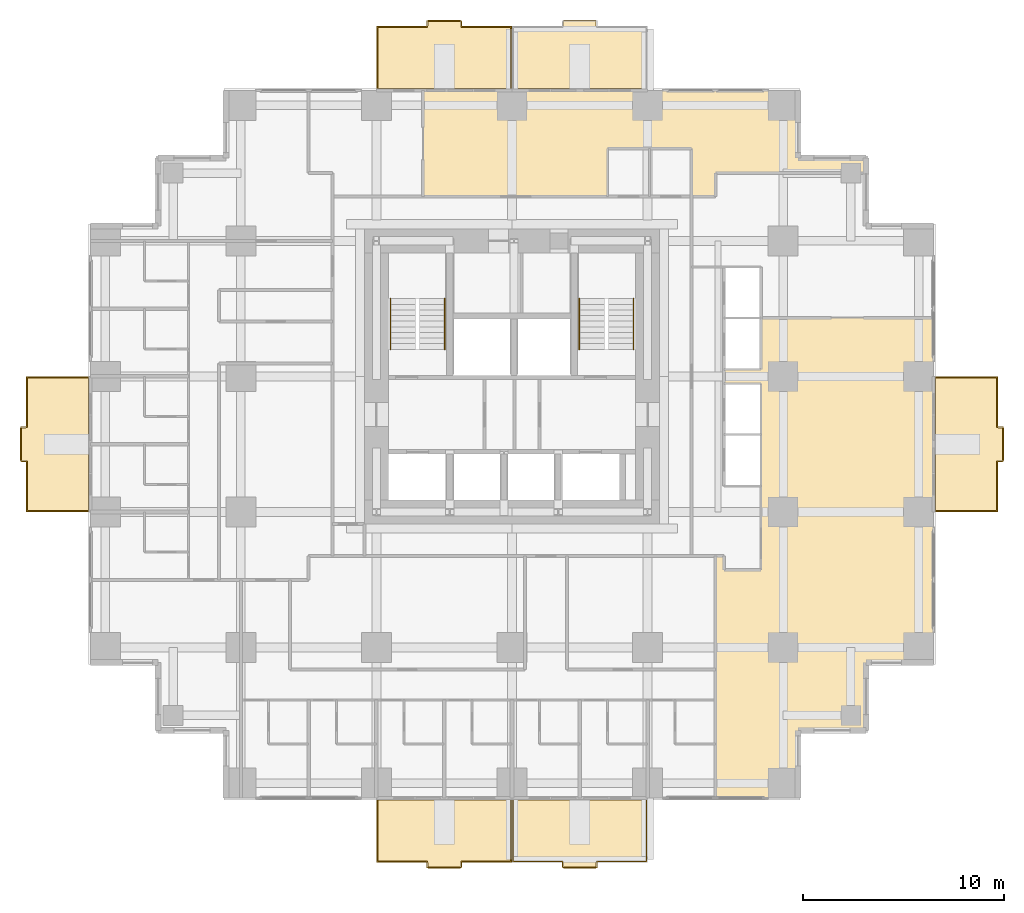
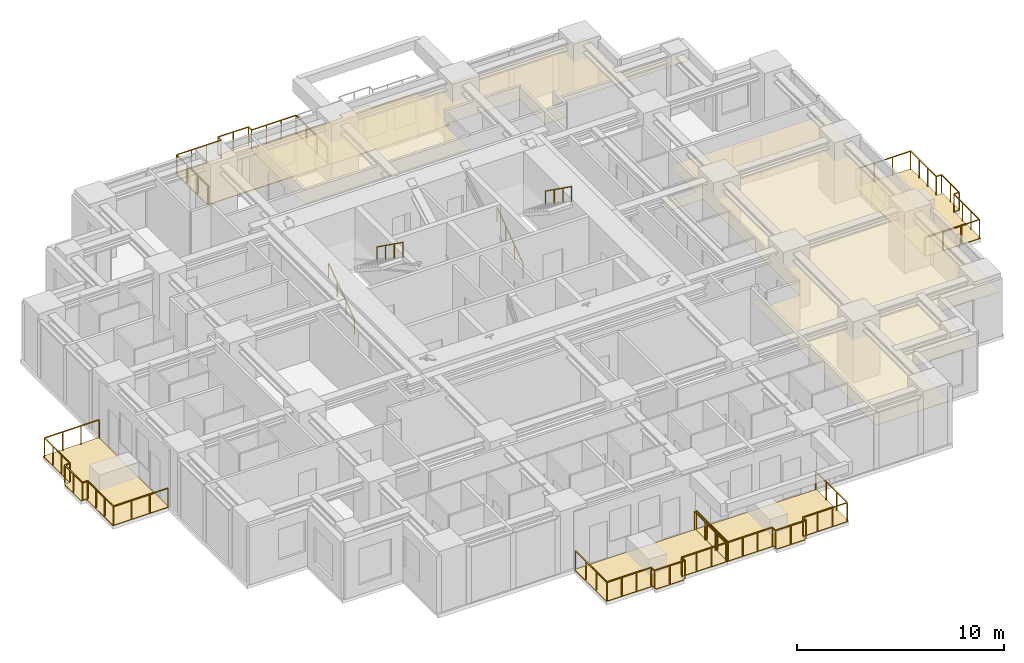
# One storey, part 10 of 11: 9 railings, 8 coverings.
"""IFC4 building model written with IfcOpenShell, lengths in metres."""

from ifc_helpers import new_model, si_unit, direction, frame, origin, origin_2d, place, context, subcontext, project, spatial, polyline, rectangle, outline, extrude, material, layer, layer_set, type_object, element, save


model = new_model("IFC4")

# Units and contexts
model_context = context("Model", 3, precision=1e-05, world=origin(), true_north=direction((0.0, 1.0)))
body_context = subcontext(model_context, "Body", "Model", "MODEL_VIEW")
ifc_project = project(units=[si_unit("LENGTHUNIT", "METRE"), si_unit("AREAUNIT", "SQUARE_METRE"), si_unit("VOLUMEUNIT", "CUBIC_METRE"), si_unit("PLANEANGLEUNIT", "RADIAN"), si_unit("MASSUNIT", "GRAM", prefix="KILO")], contexts=[model_context])

# Site, building, storey
site_placement = place(None, origin())
site = spatial("IfcSite", under=ifc_project, at=site_placement, CompositionType="ELEMENT")
building_placement = place(site_placement, origin())
building = spatial("IfcBuilding", under=site, at=building_placement, Name="Nyansa Garden Tower", CompositionType="ELEMENT")
storey_placement = place(building_placement, frame((0.0, 0.0, 108.89990234375)))
storey = spatial("IfcBuildingStorey", under=building, at=storey_placement, Name="L29", CompositionType="ELEMENT", Elevation=108.89990234375)

# Coverings
ifc_material_1 = material(Name="Perforated timber acoustic ceiling", Category="wood")
ifc_layer_1 = layer(ifc_material_1, 0.02001953125)
ifc_layer_set_1 = layer_set([ifc_layer_1], Name="Acoustic ceiling CL20")
covering_type_1 = type_object("IfcCoveringType", Name="Acoustic ceiling CL20", PredefinedType="CEILING", material=ifc_layer_set_1)
covering_1_placement = place(storey_placement, frame((0.0, 0.0, 2.505126953125)))
element("IfcCovering", 1, at=covering_1_placement, inside=storey, type_object=covering_type_1, Name="Ceiling L29-039", PredefinedType="CEILING", context=body_context, shape_type="SweptSolid", body=[
    extrude(outline(polyline([(30.375, -0.75), (30.375, 11.300048828125), (30.800048828125, 11.300048828125), (30.800048828125, 10.60009765625), (32.64990234375, 10.60009765625), (32.64990234375, 19.89990234375), (30.800048828125, 19.89990234375), (30.800048828125, 20.60009765625), (32.64990234375, 20.60009765625), (32.64990234375, 23.168212890625), (41.25, 23.168212890625), (41.25, 6.0), (37.875, 6.0), (37.875, 2.625), (34.5, 2.625), (34.5, -0.75), (30.375, -0.75)])), origin(), (0.0, 0.0, 1.0), 0.02001953125),
])
covering_2_placement = place(storey_placement, frame((0.0, 0.0, 2.505126953125)))
element("IfcCovering", 2, at=covering_2_placement, inside=storey, type_object=covering_type_1, Name="Ceiling L29-043", PredefinedType="CEILING", context=body_context, shape_type="SweptSolid", body=[
    extrude(outline(polyline([(37.875, 31.125), (37.875, 30.375), (30.375, 30.375), (30.375, 29.199951171875), (29.199951171875, 29.199951171875), (29.199951171875, 31.60009765625), (25.0, 31.60009765625), (25.0, 29.199951171875), (15.829345703125, 29.199951171875), (15.829345703125, 34.5), (34.5, 34.5), (34.5, 31.125), (37.875, 31.125)])), origin(), (0.0, 0.0, 1.0), 0.02001953125),
])
ifc_material_2 = material(Name="Hardwood decking on pedestals", Category="wood")
ifc_layer_2 = layer(ifc_material_2, 0.0400390625)
ifc_layer_set_2 = layer_set([ifc_layer_2], Name="Balcony decking DK40")
covering_type_2 = type_object("IfcCoveringType", Name="Balcony decking DK40", PredefinedType="FLOORING", material=ifc_layer_set_2)
covering_3_placement = place(storey_placement, frame((0.0, 0.0, -0.039794921875)))
element("IfcCovering", 3, at=covering_3_placement, inside=storey, type_object=covering_type_2, Name="Balcony decking L29", PredefinedType="FLOORING", context=body_context, shape_type="SweptSolid", body=[
    extrude(outline(polyline([(13.5, -0.85009765625), (20.25, -0.85009765625), (20.25, -3.949951171875), (17.675048828125, -3.949951171875), (17.675048828125, -4.25), (16.074951171875, -4.25), (16.074951171875, -3.949951171875), (13.5, -3.949951171875), (13.5, -0.85009765625)])), origin(), (0.0, 0.0, 1.0), 0.039794921875),
])
covering_4_placement = place(storey_placement, frame((0.0, 0.0, -0.039794921875)))
element("IfcCovering", 4, at=covering_4_placement, inside=storey, type_object=covering_type_2, Name="Balcony decking L29", PredefinedType="FLOORING", context=body_context, shape_type="SweptSolid", body=[
    extrude(outline(polyline([(20.25, -0.85009765625), (27.0, -0.85009765625), (27.0, -3.949951171875), (24.425048828125, -3.949951171875), (24.425048828125, -4.25), (22.824951171875, -4.25), (22.824951171875, -3.949951171875), (20.25, -3.949951171875), (20.25, -0.85009765625)])), origin(), (0.0, 0.0, 1.0), 0.039794921875),
])
covering_5_placement = place(storey_placement, frame((0.0, 0.0, -0.039794921875)))
element("IfcCovering", 5, at=covering_5_placement, inside=storey, type_object=covering_type_2, Name="Balcony decking L29", PredefinedType="FLOORING", context=body_context, shape_type="SweptSolid", body=[
    extrude(outline(polyline([(41.35009765625, 13.5), (41.35009765625, 20.25), (44.449951171875, 20.25), (44.449951171875, 17.675048828125), (44.75, 17.675048828125), (44.75, 16.074951171875), (44.449951171875, 16.074951171875), (44.449951171875, 13.5), (41.35009765625, 13.5)])), origin(), (0.0, 0.0, 1.0), 0.039794921875),
])
covering_6_placement = place(storey_placement, frame((0.0, 0.0, -0.039794921875)))
element("IfcCovering", 6, at=covering_6_placement, inside=storey, type_object=covering_type_2, Name="Balcony decking L29", PredefinedType="FLOORING", context=body_context, shape_type="SweptSolid", body=[
    extrude(outline(polyline([(13.5, 34.60009765625), (20.25, 34.60009765625), (20.25, 37.699951171875), (17.675048828125, 37.699951171875), (17.675048828125, 38.0), (16.074951171875, 38.0), (16.074951171875, 37.699951171875), (13.5, 37.699951171875), (13.5, 34.60009765625)])), origin(), (0.0, 0.0, 1.0), 0.039794921875),
])
covering_7_placement = place(storey_placement, frame((0.0, 0.0, -0.039794921875)))
element("IfcCovering", 7, at=covering_7_placement, inside=storey, type_object=covering_type_2, Name="Balcony decking L29", PredefinedType="FLOORING", context=body_context, shape_type="SweptSolid", body=[
    extrude(outline(polyline([(20.25, 34.60009765625), (27.0, 34.60009765625), (27.0, 37.699951171875), (24.425048828125, 37.699951171875), (24.425048828125, 38.0), (22.824951171875, 38.0), (22.824951171875, 37.699951171875), (20.25, 37.699951171875), (20.25, 34.60009765625)])), origin(), (0.0, 0.0, 1.0), 0.039794921875),
])
covering_8_placement = place(storey_placement, frame((0.0, 0.0, -0.039794921875)))
element("IfcCovering", 8, at=covering_8_placement, inside=storey, type_object=covering_type_2, Name="Balcony decking L29", PredefinedType="FLOORING", context=body_context, shape_type="SweptSolid", body=[
    extrude(outline(polyline([(-0.85009765625, 13.5), (-0.85009765625, 20.25), (-3.949951171875, 20.25), (-3.949951171875, 17.675048828125), (-4.25, 17.675048828125), (-4.25, 16.074951171875), (-3.949951171875, 16.074951171875), (-3.949951171875, 13.5), (-0.85009765625, 13.5)])), origin(), (0.0, 0.0, 1.0), 0.039794921875),
])

# Railings
ifc_material_3 = material(Name="Black powder-coated steel balusters, laminated glass infill", Category="steel")
railing_type_1 = type_object("IfcRailingType", Name="Balcony guard G1", PredefinedType="GUARDRAIL", material=ifc_material_3)
railing_1_placement = place(storey_placement, frame((13.550048828125, -0.85009765625, 0.0)))
element("IfcRailing", 9, at=railing_1_placement, inside=storey, type_object=railing_type_1, Name="Balcony guard L29", PredefinedType="GUARDRAIL", context=body_context, shape_type="SweptSolid", body=[
    extrude(rectangle(XDim=0.048095703125, YDim=0.048095703125, at=origin_2d()), frame((0.0, 0.0, 1.076171875), z_axis=(0.0, -1.0, 0.0), x_axis=(1.0, 0.0, 0.0)), (0.0, 0.0, 1.0), 3.0498046875),
    extrude(rectangle(XDim=0.048095703125, YDim=0.048095703125, at=origin_2d()), frame((0.0, -3.0498046875, 1.076171875), z_axis=(1.0, 0.0, 0.0), x_axis=(0.0, 1.0, 0.0)), (0.0, 0.0, 1.0), 2.474853515625),
    extrude(rectangle(XDim=0.048095703125, YDim=0.048095703125, at=origin_2d()), frame((2.474853515625, -3.0498046875, 1.076171875), z_axis=(0.0, -1.0, 0.0), x_axis=(1.0, 0.0, 0.0)), (0.0, 0.0, 1.0), 0.300048828125),
    extrude(rectangle(XDim=0.048095703125, YDim=0.048095703125, at=origin_2d()), frame((2.474853515625, -3.349853515625, 1.076171875), z_axis=(1.0, 0.0, 0.0), x_axis=(0.0, 1.0, 0.0)), (0.0, 0.0, 1.0), 1.7001953125),
    extrude(rectangle(XDim=0.048095703125, YDim=0.048095703125, at=origin_2d()), frame((4.175048828125, -3.349853515625, 1.076171875), z_axis=(0.0, 1.0, 0.0), x_axis=(-1.0, 0.0, 0.0)), (0.0, 0.0, 1.0), 0.300048828125),
    extrude(rectangle(XDim=0.048095703125, YDim=0.048095703125, at=origin_2d()), frame((4.175048828125, -3.0498046875, 1.076171875), z_axis=(1.0, 0.0, 0.0), x_axis=(0.0, 1.0, 0.0)), (0.0, 0.0, 1.0), 2.474853515625),
    extrude(rectangle(XDim=0.048095703125, YDim=0.048095703125, at=origin_2d()), frame((6.64990234375, -3.0498046875, 1.076171875), z_axis=(0.0, 1.0, 0.0), x_axis=(-1.0, 0.0, 0.0)), (0.0, 0.0, 1.0), 3.0498046875),
    extrude(rectangle(XDim=0.0419921875, YDim=0.0419921875, at=origin_2d()), origin(), (0.0, 0.0, 1.0), 1.052001953125),
    extrude(rectangle(XDim=0.0419921875, YDim=0.0419921875, at=origin_2d()), frame((0.0, -1.0166015625, 0.0)), (0.0, 0.0, 1.0), 1.052001953125),
    extrude(rectangle(XDim=0.0419921875, YDim=0.0419921875, at=origin_2d()), frame((0.0, -2.033203125, 0.0)), (0.0, 0.0, 1.0), 1.052001953125),
    extrude(rectangle(XDim=0.0419921875, YDim=0.0419921875, at=origin_2d()), frame((0.0, -3.0498046875, 0.0)), (0.0, 0.0, 1.0), 1.052001953125),
    extrude(rectangle(XDim=0.0419921875, YDim=0.0419921875, at=origin_2d()), frame((0.824951171875, -3.0498046875, 0.0)), (0.0, 0.0, 1.0), 1.052001953125),
    extrude(rectangle(XDim=0.0419921875, YDim=0.0419921875, at=origin_2d()), frame((1.64990234375, -3.0498046875, 0.0)), (0.0, 0.0, 1.0), 1.052001953125),
    extrude(rectangle(XDim=0.0419921875, YDim=0.0419921875, at=origin_2d()), frame((2.474853515625, -3.0498046875, 0.0)), (0.0, 0.0, 1.0), 1.052001953125),
    extrude(rectangle(XDim=0.0419921875, YDim=0.0419921875, at=origin_2d()), frame((2.474853515625, -3.349853515625, 0.0)), (0.0, 0.0, 1.0), 1.052001953125),
    extrude(rectangle(XDim=0.0419921875, YDim=0.0419921875, at=origin_2d()), frame((3.324951171875, -3.349853515625, 0.0)), (0.0, 0.0, 1.0), 1.052001953125),
    extrude(rectangle(XDim=0.0419921875, YDim=0.0419921875, at=origin_2d()), frame((4.175048828125, -3.349853515625, 0.0)), (0.0, 0.0, 1.0), 1.052001953125),
    extrude(rectangle(XDim=0.0419921875, YDim=0.0419921875, at=origin_2d()), frame((4.175048828125, -3.0498046875, 0.0)), (0.0, 0.0, 1.0), 1.052001953125),
    extrude(rectangle(XDim=0.0419921875, YDim=0.0419921875, at=origin_2d()), frame((5.0, -3.0498046875, 0.0)), (0.0, 0.0, 1.0), 1.052001953125),
    extrude(rectangle(XDim=0.0419921875, YDim=0.0419921875, at=origin_2d()), frame((5.824951171875, -3.0498046875, 0.0)), (0.0, 0.0, 1.0), 1.052001953125),
    extrude(rectangle(XDim=0.0419921875, YDim=0.0419921875, at=origin_2d()), frame((6.64990234375, -3.0498046875, 0.0)), (0.0, 0.0, 1.0), 1.052001953125),
    extrude(rectangle(XDim=0.0419921875, YDim=0.0419921875, at=origin_2d()), frame((6.64990234375, -2.033203125, 0.0)), (0.0, 0.0, 1.0), 1.052001953125),
    extrude(rectangle(XDim=0.0419921875, YDim=0.0419921875, at=origin_2d()), frame((6.64990234375, -1.0166015625, 0.0)), (0.0, 0.0, 1.0), 1.052001953125),
    extrude(rectangle(XDim=0.0419921875, YDim=0.0419921875, at=origin_2d()), frame((6.64990234375, 0.0, 0.0)), (0.0, 0.0, 1.0), 1.052001953125),
])
railing_2_placement = place(storey_placement, frame((20.300048828125, -0.85009765625, 0.0)))
element("IfcRailing", 10, at=railing_2_placement, inside=storey, type_object=railing_type_1, Name="Balcony guard L29", PredefinedType="GUARDRAIL", context=body_context, shape_type="SweptSolid", body=[
    extrude(rectangle(XDim=0.048095703125, YDim=0.048095703125, at=origin_2d()), frame((0.0, 0.0, 1.076171875), z_axis=(0.0, -1.0, 0.0), x_axis=(1.0, 0.0, 0.0)), (0.0, 0.0, 1.0), 3.0498046875),
    extrude(rectangle(XDim=0.048095703125, YDim=0.048095703125, at=origin_2d()), frame((0.0, -3.0498046875, 1.076171875), z_axis=(1.0, 0.0, 0.0), x_axis=(0.0, 1.0, 0.0)), (0.0, 0.0, 1.0), 2.474853515625),
    extrude(rectangle(XDim=0.048095703125, YDim=0.048095703125, at=origin_2d()), frame((2.474853515625, -3.0498046875, 1.076171875), z_axis=(0.0, -1.0, 0.0), x_axis=(1.0, 0.0, 0.0)), (0.0, 0.0, 1.0), 0.300048828125),
    extrude(rectangle(XDim=0.048095703125, YDim=0.048095703125, at=origin_2d()), frame((2.474853515625, -3.349853515625, 1.076171875), z_axis=(1.0, 0.0, 0.0), x_axis=(0.0, 1.0, 0.0)), (0.0, 0.0, 1.0), 1.7001953125),
    extrude(rectangle(XDim=0.048095703125, YDim=0.048095703125, at=origin_2d()), frame((4.175048828125, -3.349853515625, 1.076171875), z_axis=(0.0, 1.0, 0.0), x_axis=(-1.0, 0.0, 0.0)), (0.0, 0.0, 1.0), 0.300048828125),
    extrude(rectangle(XDim=0.048095703125, YDim=0.048095703125, at=origin_2d()), frame((4.175048828125, -3.0498046875, 1.076171875), z_axis=(1.0, 0.0, 0.0), x_axis=(0.0, 1.0, 0.0)), (0.0, 0.0, 1.0), 2.474853515625),
    extrude(rectangle(XDim=0.048095703125, YDim=0.048095703125, at=origin_2d()), frame((6.64990234375, -3.0498046875, 1.076171875), z_axis=(0.0, 1.0, 0.0), x_axis=(-1.0, 0.0, 0.0)), (0.0, 0.0, 1.0), 3.0498046875),
    extrude(rectangle(XDim=0.0419921875, YDim=0.0419921875, at=origin_2d()), origin(), (0.0, 0.0, 1.0), 1.052001953125),
    extrude(rectangle(XDim=0.0419921875, YDim=0.0419921875, at=origin_2d()), frame((0.0, -1.0166015625, 0.0)), (0.0, 0.0, 1.0), 1.052001953125),
    extrude(rectangle(XDim=0.0419921875, YDim=0.0419921875, at=origin_2d()), frame((0.0, -2.033203125, 0.0)), (0.0, 0.0, 1.0), 1.052001953125),
    extrude(rectangle(XDim=0.0419921875, YDim=0.0419921875, at=origin_2d()), frame((0.0, -3.0498046875, 0.0)), (0.0, 0.0, 1.0), 1.052001953125),
    extrude(rectangle(XDim=0.0419921875, YDim=0.0419921875, at=origin_2d()), frame((0.824951171875, -3.0498046875, 0.0)), (0.0, 0.0, 1.0), 1.052001953125),
    extrude(rectangle(XDim=0.0419921875, YDim=0.0419921875, at=origin_2d()), frame((1.64990234375, -3.0498046875, 0.0)), (0.0, 0.0, 1.0), 1.052001953125),
    extrude(rectangle(XDim=0.0419921875, YDim=0.0419921875, at=origin_2d()), frame((2.474853515625, -3.0498046875, 0.0)), (0.0, 0.0, 1.0), 1.052001953125),
    extrude(rectangle(XDim=0.0419921875, YDim=0.0419921875, at=origin_2d()), frame((2.474853515625, -3.349853515625, 0.0)), (0.0, 0.0, 1.0), 1.052001953125),
    extrude(rectangle(XDim=0.0419921875, YDim=0.0419921875, at=origin_2d()), frame((3.324951171875, -3.349853515625, 0.0)), (0.0, 0.0, 1.0), 1.052001953125),
    extrude(rectangle(XDim=0.0419921875, YDim=0.0419921875, at=origin_2d()), frame((4.175048828125, -3.349853515625, 0.0)), (0.0, 0.0, 1.0), 1.052001953125),
    extrude(rectangle(XDim=0.0419921875, YDim=0.0419921875, at=origin_2d()), frame((4.175048828125, -3.0498046875, 0.0)), (0.0, 0.0, 1.0), 1.052001953125),
    extrude(rectangle(XDim=0.0419921875, YDim=0.0419921875, at=origin_2d()), frame((5.0, -3.0498046875, 0.0)), (0.0, 0.0, 1.0), 1.052001953125),
    extrude(rectangle(XDim=0.0419921875, YDim=0.0419921875, at=origin_2d()), frame((5.824951171875, -3.0498046875, 0.0)), (0.0, 0.0, 1.0), 1.052001953125),
    extrude(rectangle(XDim=0.0419921875, YDim=0.0419921875, at=origin_2d()), frame((6.64990234375, -3.0498046875, 0.0)), (0.0, 0.0, 1.0), 1.052001953125),
    extrude(rectangle(XDim=0.0419921875, YDim=0.0419921875, at=origin_2d()), frame((6.64990234375, -2.033203125, 0.0)), (0.0, 0.0, 1.0), 1.052001953125),
    extrude(rectangle(XDim=0.0419921875, YDim=0.0419921875, at=origin_2d()), frame((6.64990234375, -1.0166015625, 0.0)), (0.0, 0.0, 1.0), 1.052001953125),
    extrude(rectangle(XDim=0.0419921875, YDim=0.0419921875, at=origin_2d()), frame((6.64990234375, 0.0, 0.0)), (0.0, 0.0, 1.0), 1.052001953125),
])
railing_3_placement = place(storey_placement, frame((41.35009765625, 13.550048828125, 0.0)))
element("IfcRailing", 11, at=railing_3_placement, inside=storey, type_object=railing_type_1, Name="Balcony guard L29", PredefinedType="GUARDRAIL", context=body_context, shape_type="SweptSolid", body=[
    extrude(rectangle(XDim=0.048095703125, YDim=0.048095703125, at=origin_2d()), frame((0.0, 0.0, 1.076171875), z_axis=(1.0, 0.0, 0.0), x_axis=(0.0, 1.0, 0.0)), (0.0, 0.0, 1.0), 3.0498046875),
    extrude(rectangle(XDim=0.048095703125, YDim=0.048095703125, at=origin_2d()), frame((3.0498046875, 0.0, 1.076171875), z_axis=(0.0, 1.0, 0.0), x_axis=(-1.0, 0.0, 0.0)), (0.0, 0.0, 1.0), 2.474853515625),
    extrude(rectangle(XDim=0.048095703125, YDim=0.048095703125, at=origin_2d()), frame((3.0498046875, 2.474853515625, 1.076171875), z_axis=(1.0, 0.0, 0.0), x_axis=(0.0, 1.0, 0.0)), (0.0, 0.0, 1.0), 0.300048828125),
    extrude(rectangle(XDim=0.048095703125, YDim=0.048095703125, at=origin_2d()), frame((3.349853515625, 2.474853515625, 1.076171875), z_axis=(0.0, 1.0, 0.0), x_axis=(-1.0, 0.0, 0.0)), (0.0, 0.0, 1.0), 1.7001953125),
    extrude(rectangle(XDim=0.048095703125, YDim=0.048095703125, at=origin_2d()), frame((3.349853515625, 4.175048828125, 1.076171875), z_axis=(-1.0, 0.0, 0.0), x_axis=(0.0, -1.0, 0.0)), (0.0, 0.0, 1.0), 0.300048828125),
    extrude(rectangle(XDim=0.048095703125, YDim=0.048095703125, at=origin_2d()), frame((3.0498046875, 4.175048828125, 1.076171875), z_axis=(0.0, 1.0, 0.0), x_axis=(-1.0, 0.0, 0.0)), (0.0, 0.0, 1.0), 2.474853515625),
    extrude(rectangle(XDim=0.048095703125, YDim=0.048095703125, at=origin_2d()), frame((3.0498046875, 6.64990234375, 1.076171875), z_axis=(-1.0, 0.0, 0.0), x_axis=(0.0, -1.0, 0.0)), (0.0, 0.0, 1.0), 3.0498046875),
    extrude(rectangle(XDim=0.0419921875, YDim=0.0419921875, at=origin_2d()), origin(), (0.0, 0.0, 1.0), 1.052001953125),
    extrude(rectangle(XDim=0.0419921875, YDim=0.0419921875, at=origin_2d()), frame((1.0166015625, 0.0, 0.0)), (0.0, 0.0, 1.0), 1.052001953125),
    extrude(rectangle(XDim=0.0419921875, YDim=0.0419921875, at=origin_2d()), frame((2.033203125, 0.0, 0.0)), (0.0, 0.0, 1.0), 1.052001953125),
    extrude(rectangle(XDim=0.0419921875, YDim=0.0419921875, at=origin_2d()), frame((3.0498046875, 0.0, 0.0)), (0.0, 0.0, 1.0), 1.052001953125),
    extrude(rectangle(XDim=0.0419921875, YDim=0.0419921875, at=origin_2d()), frame((3.0498046875, 0.824951171875, 0.0)), (0.0, 0.0, 1.0), 1.052001953125),
    extrude(rectangle(XDim=0.0419921875, YDim=0.0419921875, at=origin_2d()), frame((3.0498046875, 1.64990234375, 0.0)), (0.0, 0.0, 1.0), 1.052001953125),
    extrude(rectangle(XDim=0.0419921875, YDim=0.0419921875, at=origin_2d()), frame((3.0498046875, 2.474853515625, 0.0)), (0.0, 0.0, 1.0), 1.052001953125),
    extrude(rectangle(XDim=0.0419921875, YDim=0.0419921875, at=origin_2d()), frame((3.349853515625, 2.474853515625, 0.0)), (0.0, 0.0, 1.0), 1.052001953125),
    extrude(rectangle(XDim=0.0419921875, YDim=0.0419921875, at=origin_2d()), frame((3.349853515625, 3.324951171875, 0.0)), (0.0, 0.0, 1.0), 1.052001953125),
    extrude(rectangle(XDim=0.0419921875, YDim=0.0419921875, at=origin_2d()), frame((3.349853515625, 4.175048828125, 0.0)), (0.0, 0.0, 1.0), 1.052001953125),
    extrude(rectangle(XDim=0.0419921875, YDim=0.0419921875, at=origin_2d()), frame((3.0498046875, 4.175048828125, 0.0)), (0.0, 0.0, 1.0), 1.052001953125),
    extrude(rectangle(XDim=0.0419921875, YDim=0.0419921875, at=origin_2d()), frame((3.0498046875, 5.0, 0.0)), (0.0, 0.0, 1.0), 1.052001953125),
    extrude(rectangle(XDim=0.0419921875, YDim=0.0419921875, at=origin_2d()), frame((3.0498046875, 5.824951171875, 0.0)), (0.0, 0.0, 1.0), 1.052001953125),
    extrude(rectangle(XDim=0.0419921875, YDim=0.0419921875, at=origin_2d()), frame((3.0498046875, 6.64990234375, 0.0)), (0.0, 0.0, 1.0), 1.052001953125),
    extrude(rectangle(XDim=0.0419921875, YDim=0.0419921875, at=origin_2d()), frame((2.033203125, 6.64990234375, 0.0)), (0.0, 0.0, 1.0), 1.052001953125),
    extrude(rectangle(XDim=0.0419921875, YDim=0.0419921875, at=origin_2d()), frame((1.0166015625, 6.64990234375, 0.0)), (0.0, 0.0, 1.0), 1.052001953125),
    extrude(rectangle(XDim=0.0419921875, YDim=0.0419921875, at=origin_2d()), frame((0.0, 6.64990234375, 0.0)), (0.0, 0.0, 1.0), 1.052001953125),
])
railing_4_placement = place(storey_placement, frame((13.550048828125, 34.60009765625, 0.0)))
element("IfcRailing", 12, at=railing_4_placement, inside=storey, type_object=railing_type_1, Name="Balcony guard L29", PredefinedType="GUARDRAIL", context=body_context, shape_type="SweptSolid", body=[
    extrude(rectangle(XDim=0.048095703125, YDim=0.048095703125, at=origin_2d()), frame((0.0, 0.0, 1.076171875), z_axis=(0.0, 1.0, 0.0), x_axis=(-1.0, 0.0, 0.0)), (0.0, 0.0, 1.0), 3.0498046875),
    extrude(rectangle(XDim=0.048095703125, YDim=0.048095703125, at=origin_2d()), frame((0.0, 3.0498046875, 1.076171875), z_axis=(1.0, 0.0, 0.0), x_axis=(0.0, 1.0, 0.0)), (0.0, 0.0, 1.0), 2.474853515625),
    extrude(rectangle(XDim=0.048095703125, YDim=0.048095703125, at=origin_2d()), frame((2.474853515625, 3.0498046875, 1.076171875), z_axis=(0.0, 1.0, 0.0), x_axis=(-1.0, 0.0, 0.0)), (0.0, 0.0, 1.0), 0.300048828125),
    extrude(rectangle(XDim=0.048095703125, YDim=0.048095703125, at=origin_2d()), frame((2.474853515625, 3.349853515625, 1.076171875), z_axis=(1.0, 0.0, 0.0), x_axis=(0.0, 1.0, 0.0)), (0.0, 0.0, 1.0), 1.7001953125),
    extrude(rectangle(XDim=0.048095703125, YDim=0.048095703125, at=origin_2d()), frame((4.175048828125, 3.349853515625, 1.076171875), z_axis=(0.0, -1.0, 0.0), x_axis=(1.0, 0.0, 0.0)), (0.0, 0.0, 1.0), 0.300048828125),
    extrude(rectangle(XDim=0.048095703125, YDim=0.048095703125, at=origin_2d()), frame((4.175048828125, 3.0498046875, 1.076171875), z_axis=(1.0, 0.0, 0.0), x_axis=(0.0, 1.0, 0.0)), (0.0, 0.0, 1.0), 2.474853515625),
    extrude(rectangle(XDim=0.048095703125, YDim=0.048095703125, at=origin_2d()), frame((6.64990234375, 3.0498046875, 1.076171875), z_axis=(0.0, -1.0, 0.0), x_axis=(1.0, 0.0, 0.0)), (0.0, 0.0, 1.0), 3.0498046875),
    extrude(rectangle(XDim=0.0419921875, YDim=0.0419921875, at=origin_2d()), origin(), (0.0, 0.0, 1.0), 1.052001953125),
    extrude(rectangle(XDim=0.0419921875, YDim=0.0419921875, at=origin_2d()), frame((0.0, 1.0166015625, 0.0)), (0.0, 0.0, 1.0), 1.052001953125),
    extrude(rectangle(XDim=0.0419921875, YDim=0.0419921875, at=origin_2d()), frame((0.0, 2.033203125, 0.0)), (0.0, 0.0, 1.0), 1.052001953125),
    extrude(rectangle(XDim=0.0419921875, YDim=0.0419921875, at=origin_2d()), frame((0.0, 3.0498046875, 0.0)), (0.0, 0.0, 1.0), 1.052001953125),
    extrude(rectangle(XDim=0.0419921875, YDim=0.0419921875, at=origin_2d()), frame((0.824951171875, 3.0498046875, 0.0)), (0.0, 0.0, 1.0), 1.052001953125),
    extrude(rectangle(XDim=0.0419921875, YDim=0.0419921875, at=origin_2d()), frame((1.64990234375, 3.0498046875, 0.0)), (0.0, 0.0, 1.0), 1.052001953125),
    extrude(rectangle(XDim=0.0419921875, YDim=0.0419921875, at=origin_2d()), frame((2.474853515625, 3.0498046875, 0.0)), (0.0, 0.0, 1.0), 1.052001953125),
    extrude(rectangle(XDim=0.0419921875, YDim=0.0419921875, at=origin_2d()), frame((2.474853515625, 3.349853515625, 0.0)), (0.0, 0.0, 1.0), 1.052001953125),
    extrude(rectangle(XDim=0.0419921875, YDim=0.0419921875, at=origin_2d()), frame((3.324951171875, 3.349853515625, 0.0)), (0.0, 0.0, 1.0), 1.052001953125),
    extrude(rectangle(XDim=0.0419921875, YDim=0.0419921875, at=origin_2d()), frame((4.175048828125, 3.349853515625, 0.0)), (0.0, 0.0, 1.0), 1.052001953125),
    extrude(rectangle(XDim=0.0419921875, YDim=0.0419921875, at=origin_2d()), frame((4.175048828125, 3.0498046875, 0.0)), (0.0, 0.0, 1.0), 1.052001953125),
    extrude(rectangle(XDim=0.0419921875, YDim=0.0419921875, at=origin_2d()), frame((5.0, 3.0498046875, 0.0)), (0.0, 0.0, 1.0), 1.052001953125),
    extrude(rectangle(XDim=0.0419921875, YDim=0.0419921875, at=origin_2d()), frame((5.824951171875, 3.0498046875, 0.0)), (0.0, 0.0, 1.0), 1.052001953125),
    extrude(rectangle(XDim=0.0419921875, YDim=0.0419921875, at=origin_2d()), frame((6.64990234375, 3.0498046875, 0.0)), (0.0, 0.0, 1.0), 1.052001953125),
    extrude(rectangle(XDim=0.0419921875, YDim=0.0419921875, at=origin_2d()), frame((6.64990234375, 2.033203125, 0.0)), (0.0, 0.0, 1.0), 1.052001953125),
    extrude(rectangle(XDim=0.0419921875, YDim=0.0419921875, at=origin_2d()), frame((6.64990234375, 1.0166015625, 0.0)), (0.0, 0.0, 1.0), 1.052001953125),
    extrude(rectangle(XDim=0.0419921875, YDim=0.0419921875, at=origin_2d()), frame((6.64990234375, 0.0, 0.0)), (0.0, 0.0, 1.0), 1.052001953125),
])
railing_5_placement = place(storey_placement, frame((-0.85009765625, 13.550048828125, 0.0)))
element("IfcRailing", 13, at=railing_5_placement, inside=storey, type_object=railing_type_1, Name="Balcony guard L29", PredefinedType="GUARDRAIL", context=body_context, shape_type="SweptSolid", body=[
    extrude(rectangle(XDim=0.048095703125, YDim=0.048095703125, at=origin_2d()), frame((0.0, 0.0, 1.076171875), z_axis=(-1.0, 0.0, 0.0), x_axis=(0.0, -1.0, 0.0)), (0.0, 0.0, 1.0), 3.0498046875),
    extrude(rectangle(XDim=0.048095703125, YDim=0.048095703125, at=origin_2d()), frame((-3.0498046875, 0.0, 1.076171875), z_axis=(0.0, 1.0, 0.0), x_axis=(-1.0, 0.0, 0.0)), (0.0, 0.0, 1.0), 2.474853515625),
    extrude(rectangle(XDim=0.048095703125, YDim=0.048095703125, at=origin_2d()), frame((-3.0498046875, 2.474853515625, 1.076171875), z_axis=(-1.0, 0.0, 0.0), x_axis=(0.0, -1.0, 0.0)), (0.0, 0.0, 1.0), 0.300048828125),
    extrude(rectangle(XDim=0.048095703125, YDim=0.048095703125, at=origin_2d()), frame((-3.349853515625, 2.474853515625, 1.076171875), z_axis=(0.0, 1.0, 0.0), x_axis=(-1.0, 0.0, 0.0)), (0.0, 0.0, 1.0), 1.7001953125),
    extrude(rectangle(XDim=0.048095703125, YDim=0.048095703125, at=origin_2d()), frame((-3.349853515625, 4.175048828125, 1.076171875), z_axis=(1.0, 0.0, 0.0), x_axis=(0.0, 1.0, 0.0)), (0.0, 0.0, 1.0), 0.300048828125),
    extrude(rectangle(XDim=0.048095703125, YDim=0.048095703125, at=origin_2d()), frame((-3.0498046875, 4.175048828125, 1.076171875), z_axis=(0.0, 1.0, 0.0), x_axis=(-1.0, 0.0, 0.0)), (0.0, 0.0, 1.0), 2.474853515625),
    extrude(rectangle(XDim=0.048095703125, YDim=0.048095703125, at=origin_2d()), frame((-3.0498046875, 6.64990234375, 1.076171875), z_axis=(1.0, 0.0, 0.0), x_axis=(0.0, 1.0, 0.0)), (0.0, 0.0, 1.0), 3.0498046875),
    extrude(rectangle(XDim=0.0419921875, YDim=0.0419921875, at=origin_2d()), origin(), (0.0, 0.0, 1.0), 1.052001953125),
    extrude(rectangle(XDim=0.0419921875, YDim=0.0419921875, at=origin_2d()), frame((-1.0166015625, 0.0, 0.0)), (0.0, 0.0, 1.0), 1.052001953125),
    extrude(rectangle(XDim=0.0419921875, YDim=0.0419921875, at=origin_2d()), frame((-2.033203125, 0.0, 0.0)), (0.0, 0.0, 1.0), 1.052001953125),
    extrude(rectangle(XDim=0.0419921875, YDim=0.0419921875, at=origin_2d()), frame((-3.0498046875, 0.0, 0.0)), (0.0, 0.0, 1.0), 1.052001953125),
    extrude(rectangle(XDim=0.0419921875, YDim=0.0419921875, at=origin_2d()), frame((-3.0498046875, 0.824951171875, 0.0)), (0.0, 0.0, 1.0), 1.052001953125),
    extrude(rectangle(XDim=0.0419921875, YDim=0.0419921875, at=origin_2d()), frame((-3.0498046875, 1.64990234375, 0.0)), (0.0, 0.0, 1.0), 1.052001953125),
    extrude(rectangle(XDim=0.0419921875, YDim=0.0419921875, at=origin_2d()), frame((-3.0498046875, 2.474853515625, 0.0)), (0.0, 0.0, 1.0), 1.052001953125),
    extrude(rectangle(XDim=0.0419921875, YDim=0.0419921875, at=origin_2d()), frame((-3.349853515625, 2.474853515625, 0.0)), (0.0, 0.0, 1.0), 1.052001953125),
    extrude(rectangle(XDim=0.0419921875, YDim=0.0419921875, at=origin_2d()), frame((-3.349853515625, 3.324951171875, 0.0)), (0.0, 0.0, 1.0), 1.052001953125),
    extrude(rectangle(XDim=0.0419921875, YDim=0.0419921875, at=origin_2d()), frame((-3.349853515625, 4.175048828125, 0.0)), (0.0, 0.0, 1.0), 1.052001953125),
    extrude(rectangle(XDim=0.0419921875, YDim=0.0419921875, at=origin_2d()), frame((-3.0498046875, 4.175048828125, 0.0)), (0.0, 0.0, 1.0), 1.052001953125),
    extrude(rectangle(XDim=0.0419921875, YDim=0.0419921875, at=origin_2d()), frame((-3.0498046875, 5.0, 0.0)), (0.0, 0.0, 1.0), 1.052001953125),
    extrude(rectangle(XDim=0.0419921875, YDim=0.0419921875, at=origin_2d()), frame((-3.0498046875, 5.824951171875, 0.0)), (0.0, 0.0, 1.0), 1.052001953125),
    extrude(rectangle(XDim=0.0419921875, YDim=0.0419921875, at=origin_2d()), frame((-3.0498046875, 6.64990234375, 0.0)), (0.0, 0.0, 1.0), 1.052001953125),
    extrude(rectangle(XDim=0.0419921875, YDim=0.0419921875, at=origin_2d()), frame((-2.033203125, 6.64990234375, 0.0)), (0.0, 0.0, 1.0), 1.052001953125),
    extrude(rectangle(XDim=0.0419921875, YDim=0.0419921875, at=origin_2d()), frame((-1.0166015625, 6.64990234375, 0.0)), (0.0, 0.0, 1.0), 1.052001953125),
    extrude(rectangle(XDim=0.0419921875, YDim=0.0419921875, at=origin_2d()), frame((0.0, 6.64990234375, 0.0)), (0.0, 0.0, 1.0), 1.052001953125),
])
ifc_material_4 = material(Name="Black powder-coated steel tube 48 mm", Category="steel")
railing_type_2 = type_object("IfcRailingType", Name="Stair handrail HR1", PredefinedType="HANDRAIL", material=ifc_material_4)
railing_6_placement = place(storey_placement, frame((14.199951171875, 21.60009765625, 0.0)))
element("IfcRailing", 14, at=railing_6_placement, inside=storey, type_object=railing_type_2, Name="Stair S1 handrail L29", PredefinedType="HANDRAIL", context=body_context, shape_type="SweptSolid", body=[
    extrude(rectangle(XDim=0.048095703125, YDim=0.048095703125, at=origin_2d()), frame((0.0, 0.0, 0.8759765625), z_axis=(0.0, 0.813728144527, 0.581245650998), x_axis=(-1.0, 0.0, 0.0)), (0.0, 0.0, 1.0), 3.096923828125),
    extrude(rectangle(XDim=0.0419921875, YDim=0.0419921875, at=origin_2d()), origin(), (0.0, 0.0, 1.0), 0.851806640625),
    extrude(rectangle(XDim=0.0419921875, YDim=0.0419921875, at=origin_2d()), frame((0.0, 0.840087890625, 0.60009765625)), (0.0, 0.0, 1.0), 0.851806640625),
    extrude(rectangle(XDim=0.0419921875, YDim=0.0419921875, at=origin_2d()), frame((0.0, 1.679931640625, 1.199951171875)), (0.0, 0.0, 1.0), 0.851806640625),
    extrude(rectangle(XDim=0.0419921875, YDim=0.0419921875, at=origin_2d()), frame((0.0, 2.52001953125, 1.800048828125)), (0.0, 0.0, 1.0), 0.851806640625),
])
railing_7_placement = place(storey_placement, frame((16.89990234375, 24.1201171875, 1.800048828125)))
element("IfcRailing", 15, at=railing_7_placement, inside=storey, type_object=railing_type_2, Name="Stair S1 handrail L29", PredefinedType="HANDRAIL", context=body_context, shape_type="SweptSolid", body=[
    extrude(rectangle(XDim=0.048095703125, YDim=0.048095703125, at=origin_2d()), frame((0.0, 0.0, 0.8759765625), z_axis=(0.0, -0.813728144527, 0.581245650998), x_axis=(1.0, 0.0, 0.0)), (0.0, 0.0, 1.0), 3.096923828125),
    extrude(rectangle(XDim=0.0419921875, YDim=0.0419921875, at=origin_2d()), origin(), (0.0, 0.0, 1.0), 0.851806640625),
    extrude(rectangle(XDim=0.0419921875, YDim=0.0419921875, at=origin_2d()), frame((0.0, -0.840087890625, 0.60009765625)), (0.0, 0.0, 1.0), 0.851806640625),
    extrude(rectangle(XDim=0.0419921875, YDim=0.0419921875, at=origin_2d()), frame((0.0, -1.679931640625, 1.199951171875)), (0.0, 0.0, 1.0), 0.851806640625),
    extrude(rectangle(XDim=0.0419921875, YDim=0.0419921875, at=origin_2d()), frame((0.0, -2.52001953125, 1.800048828125)), (0.0, 0.0, 1.0), 0.851806640625),
])
railing_8_placement = place(storey_placement, frame((23.60009765625, 21.60009765625, 0.0)))
element("IfcRailing", 16, at=railing_8_placement, inside=storey, type_object=railing_type_2, Name="Stair S2 handrail L29", PredefinedType="HANDRAIL", context=body_context, shape_type="SweptSolid", body=[
    extrude(rectangle(XDim=0.048095703125, YDim=0.048095703125, at=origin_2d()), frame((0.0, 0.0, 0.8759765625), z_axis=(0.0, 0.813728144527, 0.581245650998), x_axis=(-1.0, 0.0, 0.0)), (0.0, 0.0, 1.0), 3.096923828125),
    extrude(rectangle(XDim=0.0419921875, YDim=0.0419921875, at=origin_2d()), origin(), (0.0, 0.0, 1.0), 0.851806640625),
    extrude(rectangle(XDim=0.0419921875, YDim=0.0419921875, at=origin_2d()), frame((0.0, 0.840087890625, 0.60009765625)), (0.0, 0.0, 1.0), 0.851806640625),
    extrude(rectangle(XDim=0.0419921875, YDim=0.0419921875, at=origin_2d()), frame((0.0, 1.679931640625, 1.199951171875)), (0.0, 0.0, 1.0), 0.851806640625),
    extrude(rectangle(XDim=0.0419921875, YDim=0.0419921875, at=origin_2d()), frame((0.0, 2.52001953125, 1.800048828125)), (0.0, 0.0, 1.0), 0.851806640625),
])
railing_9_placement = place(storey_placement, frame((26.300048828125, 24.1201171875, 1.800048828125)))
element("IfcRailing", 17, at=railing_9_placement, inside=storey, type_object=railing_type_2, Name="Stair S2 handrail L29", PredefinedType="HANDRAIL", context=body_context, shape_type="SweptSolid", body=[
    extrude(rectangle(XDim=0.048095703125, YDim=0.048095703125, at=origin_2d()), frame((0.0, 0.0, 0.8759765625), z_axis=(0.0, -0.813728144527, 0.581245650998), x_axis=(1.0, 0.0, 0.0)), (0.0, 0.0, 1.0), 3.096923828125),
    extrude(rectangle(XDim=0.0419921875, YDim=0.0419921875, at=origin_2d()), origin(), (0.0, 0.0, 1.0), 0.851806640625),
    extrude(rectangle(XDim=0.0419921875, YDim=0.0419921875, at=origin_2d()), frame((0.0, -0.840087890625, 0.60009765625)), (0.0, 0.0, 1.0), 0.851806640625),
    extrude(rectangle(XDim=0.0419921875, YDim=0.0419921875, at=origin_2d()), frame((0.0, -1.679931640625, 1.199951171875)), (0.0, 0.0, 1.0), 0.851806640625),
    extrude(rectangle(XDim=0.0419921875, YDim=0.0419921875, at=origin_2d()), frame((0.0, -2.52001953125, 1.800048828125)), (0.0, 0.0, 1.0), 0.851806640625),
])

save(model, "model.ifc")
